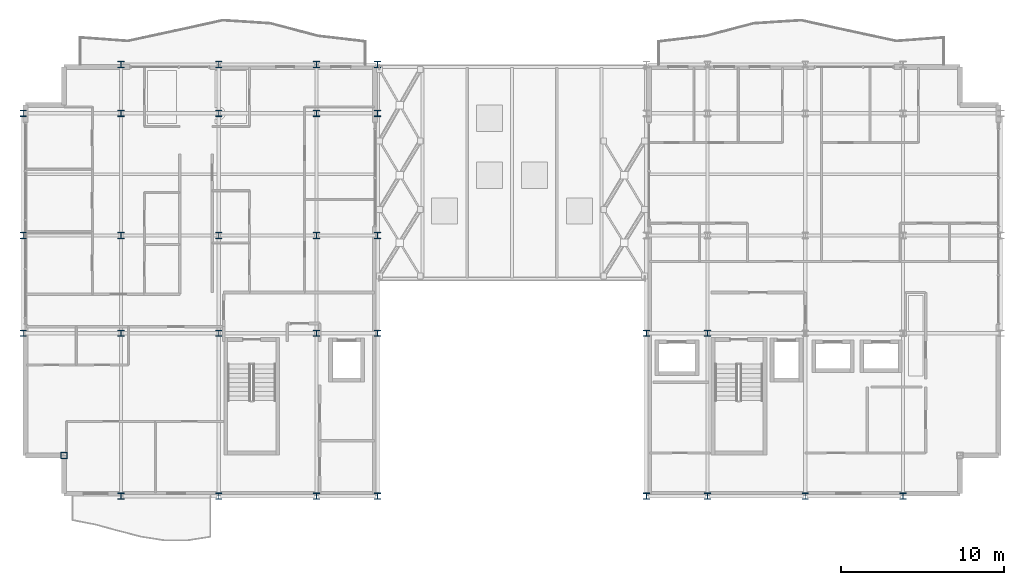
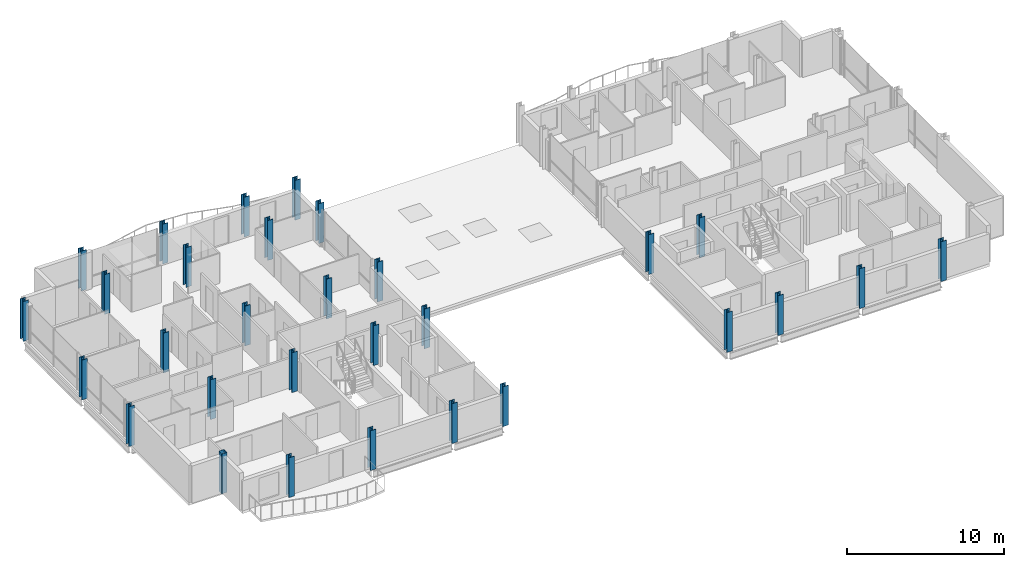
# One storey, part 1 of 33: 30 columns.
"""IFC4 building model written with IfcOpenShell, lengths in metres."""

from ifc_helpers import new_model, si_unit, direction, frame, origin, origin_2d, place, context, subcontext, project, spatial, hollow_rectangle, i_section, extrude, material, material_profile, profile_set, type_object, element, save


model = new_model("IFC4")

# Units and contexts
model_context = context("Model", 3, precision=1e-05, world=origin(), true_north=direction((0.0, 1.0)))
body_context = subcontext(model_context, "Body", "Model", "MODEL_VIEW")
ifc_project = project(units=[si_unit("LENGTHUNIT", "METRE"), si_unit("AREAUNIT", "SQUARE_METRE"), si_unit("VOLUMEUNIT", "CUBIC_METRE"), si_unit("PLANEANGLEUNIT", "RADIAN"), si_unit("MASSUNIT", "GRAM", prefix="KILO")], contexts=[model_context])

# Site, building, storey
site_placement = place(None, origin())
site = spatial("IfcSite", under=ifc_project, at=site_placement, CompositionType="ELEMENT")
building_placement = place(site_placement, origin())
building = spatial("IfcBuilding", under=site, at=building_placement, Name="Brevholm Reach", CompositionType="ELEMENT")
storey_placement = place(building_placement, frame((0.0, 0.0, 189.39990234375)))
storey = spatial("IfcBuildingStorey", under=building, at=storey_placement, Name="L57", CompositionType="ELEMENT", Elevation=189.39990234375)

# Columns
ifc_material_1 = material(Name="Structural Steel S460NH", Category="steel")
ifc_material_profile_1 = material_profile(ifc_material_1, hollow_rectangle(XDim=0.39990234375, YDim=0.39990234375, WallThickness=0.02001953125, InnerFilletRadius=0.011962890625, OuterFilletRadius=0.02392578125, at=origin_2d()), Name="SHS 400x400x20")
ifc_profile_set_1 = profile_set([ifc_material_profile_1], Name="Structural Steel S460NH")
column_type_1 = type_object("IfcColumnType", Name="COL-SHS2", PredefinedType="COLUMN", material=ifc_profile_set_1)
column_placement = place(storey_placement, frame((2.5, 2.5, 0.0), z_axis=(0.0, 0.0, 1.0), x_axis=(1.0, 0.0, 0.0)))
element("IfcColumn", 1, at=column_placement, inside=storey, type_object=column_type_1, Name="L57 Column 04", PredefinedType="COLUMN", context=body_context, shape_type="SweptSolid", body=[
    extrude(hollow_rectangle(XDim=0.39990234375, YDim=0.39990234375, WallThickness=0.02001953125, InnerFilletRadius=0.011962890625, OuterFilletRadius=0.02392578125, at=origin_2d()), origin(), (0.0, 0.0, 1.0), 3.10009765625),
])
ifc_material_2 = material(Name="Structural Steel S355J2", Category="steel")
ifc_material_profile_2 = material_profile(ifc_material_2, i_section(OverallWidth=0.39892578125, OverallDepth=0.3935546875, WebThickness=0.022705078125, FlangeThickness=0.03662109375, FilletRadius=0.01513671875, at=origin_2d()), Name="UKC 356x406x287")
ifc_profile_set_2 = profile_set([ifc_material_profile_2], Name="Structural Steel S355J2")
column_type_2 = type_object("IfcColumnType", Name="COL-UC5B", PredefinedType="COLUMN", material=ifc_profile_set_2)
for number, where, z_axis, x_axis, name in (
    (2, (0.0, 10.0, 0.0), (0.0, 0.0, 1.0), (1.0, 0.0, 0.0), "L57 Column 01"),
    (3, (0.0, 16.0, 0.0), (0.0, 0.0, 1.0), (1.0, 0.0, 0.0), "L57 Column 02"),
    (4, (0.0, 23.5, 0.0), (0.0, 0.0, 1.0), (1.0, 0.0, 0.0), "L57 Column 03"),
    (5, (6.0, 0.0, 0.0), (0.0, 0.0, 1.0), (1.0, 0.0, 0.0), "L57 Column 05"),
    (6, (6.0, 10.0, 0.0), (0.0, 0.0, 1.0), (1.0, 0.0, 0.0), "L57 Column 06"),
    (7, (6.0, 16.0, 0.0), (0.0, 0.0, 1.0), (1.0, 0.0, 0.0), "L57 Column 07"),
    (8, (6.0, 23.5, 0.0), (0.0, 0.0, 1.0), (1.0, 0.0, 0.0), "L57 Column 08"),
    (9, (6.0, 26.5, 0.0), (0.0, 0.0, 1.0), (1.0, 0.0, 0.0), "L57 Column 09"),
    (10, (12.0, 0.0, 0.0), (0.0, 0.0, 1.0), (1.0, 0.0, 0.0), "L57 Column 10"),
    (11, (12.0, 10.0, 0.0), (0.0, 0.0, 1.0), (1.0, 0.0, 0.0), "L57 Column 11"),
    (12, (12.0, 16.0, 0.0), (0.0, 0.0, 1.0), (1.0, 0.0, 0.0), "L57 Column 12"),
    (13, (12.0, 23.5, 0.0), (0.0, 0.0, 1.0), (1.0, 0.0, 0.0), "L57 Column 13"),
    (14, (12.0, 26.5, 0.0), (0.0, 0.0, 1.0), (1.0, 0.0, 0.0), "L57 Column 14"),
    (15, (18.0, 0.0, 0.0), (0.0, 0.0, 1.0), (1.0, 0.0, 0.0), "L57 Column 15"),
    (16, (18.0, 10.0, 0.0), (0.0, 0.0, 1.0), (1.0, 0.0, 0.0), "L57 Column 16"),
    (17, (18.0, 16.0, 0.0), (0.0, 0.0, 1.0), (1.0, 0.0, 0.0), "L57 Column 17"),
    (18, (18.0, 23.5, 0.0), (0.0, 0.0, 1.0), (1.0, 0.0, 0.0), "L57 Column 18"),
    (19, (18.0, 26.5, 0.0), (0.0, 0.0, 1.0), (1.0, 0.0, 0.0), "L57 Column 19"),
    (20, (21.75, 0.0, 0.0), (0.0, 0.0, 1.0), (1.0, 0.0, 0.0), "L57 Column 20"),
    (21, (21.75, 10.0, 0.0), (0.0, 0.0, 1.0), (1.0, 0.0, 0.0), "L57 Column 21"),
    (22, (21.75, 16.0, 0.0), (0.0, 0.0, 1.0), (1.0, 0.0, 0.0), "L57 Column 22"),
    (23, (21.75, 23.5, 0.0), (0.0, 0.0, 1.0), (1.0, 0.0, 0.0), "L57 Column 23"),
    (24, (21.75, 26.5, 0.0), (0.0, 0.0, 1.0), (1.0, 0.0, 0.0), "L57 Column 24"),
    (25, (38.25, 0.0, 0.0), (0.0, 0.0, 1.0), (1.0, 0.0, 0.0), "L57 Column 25"),
    (26, (38.25, 10.0, 0.0), (0.0, 0.0, 1.0), (1.0, 0.0, 0.0), "L57 Column 26"),
    (27, (42.0, 0.0, 0.0), (0.0, 0.0, 1.0), (1.0, 0.0, 0.0), "L57 Column 30"),
    (28, (42.0, 10.0, 0.0), (0.0, 0.0, 1.0), (1.0, 0.0, 0.0), "L57 Column 31"),
    (29, (48.0, 0.0, 0.0), (0.0, 0.0, 1.0), (1.0, 0.0, 0.0), "L57 Column 35"),
    (30, (54.0, 0.0, 0.0), (0.0, 0.0, 1.0), (1.0, 0.0, 0.0), "L57 Column 40"),
):
    element("IfcColumn", number, at=place(storey_placement, frame(where, z_axis=z_axis, x_axis=x_axis)), inside=storey, type_object=column_type_2, Name=name, PredefinedType="COLUMN", context=body_context, shape_type="SweptSolid", body=[
        extrude(i_section(OverallWidth=0.39892578125, OverallDepth=0.3935546875, WebThickness=0.022705078125, FlangeThickness=0.03662109375, FilletRadius=0.01513671875, at=origin_2d()), origin(), (0.0, 0.0, 1.0), 3.10009765625),
    ])

save(model, "model.ifc")
